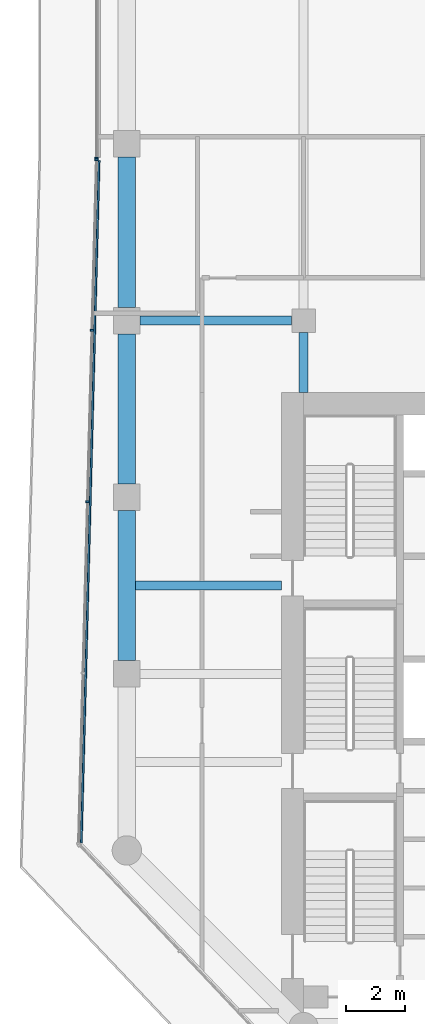
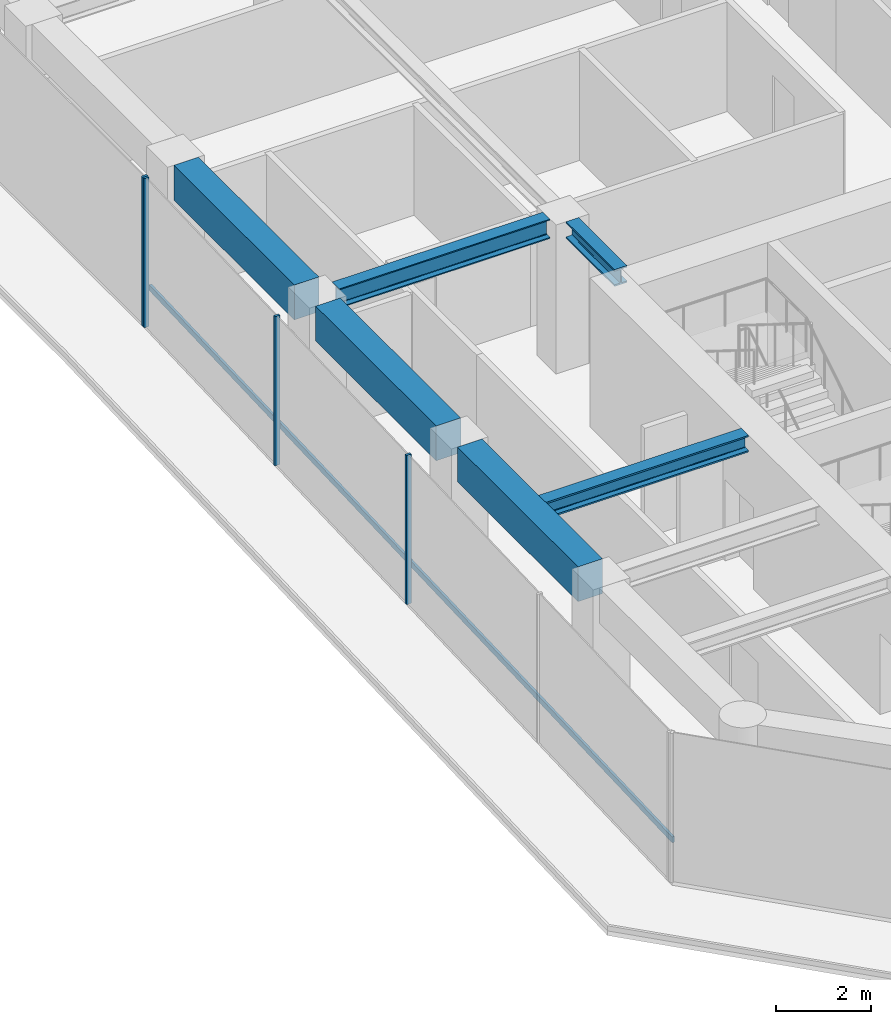
# One storey, part 4 of 23: 6 beams, 5 members, 2 elements without a shape of their own.
"""IFC4 building model written with IfcOpenShell, lengths in metres."""

import ifcopenshell
import ifcopenshell.guid

model = None  # the IFC model being written
_history = None  # IfcOwnerHistory: only IFC2X3 demands one
_inside = {}  # id of a spatial element -> (the spatial element, [elements in it])
_under = {}  # id of a project, library or spatial element -> (it, [spatial elements below it])
_declared = {}  # id of a project -> (the project, [libraries it declares])
_typed = {}  # id of a type object -> (the type object, [elements of that type])
_made_of = {}  # id of a material, layer set ... -> (it, [elements and type objects made of it])


def new_model(schema):
    """Start an empty IFC model of exactly this schema.

    Asked for "IFC4X3", IfcOpenShell would pick the latest addendum, in which some entities
    have other attributes; the version numbers below select the first issue.
    IFC2X3 requires an IfcOwnerHistory on every rooted entity: one is made here for all.
    """
    global model, _history
    if schema == "IFC4X3":
        model = ifcopenshell.file(schema_version=(4, 3, 0, 0))
    else:
        model = ifcopenshell.file(schema=schema)
    _inside.clear()
    _under.clear()
    _declared.clear()
    _typed.clear()
    _made_of.clear()
    _history = None
    if model.schema == "IFC2X3":
        org = make("IfcOrganization", Name="unknown")
        user = make(
            "IfcPersonAndOrganization",
            ThePerson=make("IfcPerson", FamilyName="unknown"),
            TheOrganization=org,
        )
        app = make(
            "IfcApplication",
            ApplicationDeveloper=org,
            Version="unknown",
            ApplicationFullName="unknown",
            ApplicationIdentifier="unknown",
        )
        _history = make(
            "IfcOwnerHistory",
            OwningUser=user,
            OwningApplication=app,
            ChangeAction="ADDED",
            CreationDate=0,
        )
    return model


def make(cls, **values):
    """One entity of the class cls with the attributes given. An attribute that is None is left unset."""
    return model.create_entity(
        cls, **{name: value for name, value in values.items() if value is not None}
    )


def rooted(cls, **values):
    """An entity with a GlobalId (a new one), such as an element, a storey or a relation."""
    return make(cls, GlobalId=ifcopenshell.guid.new(), OwnerHistory=_history, **values)


def si_unit(unit_type, name, prefix=None):
    """IfcSIUnit, for example si_unit("LENGTHUNIT", "METRE", prefix="MILLI")."""
    return make("IfcSIUnit", UnitType=unit_type, Prefix=prefix, Name=name)


def assignment(units):
    """IfcUnitAssignment: the units of a project."""
    return None if units is None else make("IfcUnitAssignment", Units=units)


def point(xyz):
    """IfcCartesianPoint."""
    return None if xyz is None else make("IfcCartesianPoint", Coordinates=xyz)


def direction(xyz):
    """IfcDirection."""
    return None if xyz is None else make("IfcDirection", DirectionRatios=xyz)


def frame(location, z_axis=None, x_axis=None):
    """IfcAxis2Placement3D, a coordinate frame: its origin and axes. An axis left out is left unset."""
    return make(
        "IfcAxis2Placement3D",
        Location=point(location),
        Axis=direction(z_axis),
        RefDirection=direction(x_axis),
    )


def frame_2d(location, x_axis=None):
    """IfcAxis2Placement2D, a coordinate frame in the plane: its origin and x axis."""
    return make(
        "IfcAxis2Placement2D", Location=point(location), RefDirection=direction(x_axis)
    )


def origin():
    """The frame at (0, 0, 0) with its axes left unset."""
    return frame((0.0, 0.0, 0.0))


def origin_2d():
    """The frame at (0, 0) in the plane with its x axis left unset."""
    return frame_2d((0.0, 0.0))


def place(relative_to, where):
    """IfcLocalPlacement: puts the frame where relative to a parent placement (None: the world)."""
    return make(
        "IfcLocalPlacement", PlacementRelTo=relative_to, RelativePlacement=where
    )


def context(
    kind, dimensions, precision=None, world=None, true_north=None, identifier=None
):
    """IfcGeometricRepresentationContext, for example the 3D "Model" context."""
    return make(
        "IfcGeometricRepresentationContext",
        ContextIdentifier=identifier,
        ContextType=kind,
        CoordinateSpaceDimension=dimensions,
        Precision=precision,
        WorldCoordinateSystem=world,
        TrueNorth=true_north,
    )


def subcontext(parent, identifier, kind, view, scale=None):
    """IfcGeometricRepresentationSubContext, for example "Body" below "Model"."""
    return make(
        "IfcGeometricRepresentationSubContext",
        ContextIdentifier=identifier,
        ContextType=kind,
        ParentContext=parent,
        TargetScale=scale,
        TargetView=view,
    )


def project(units=None, contexts=None):
    """IfcProject with its units and contexts."""
    return rooted(
        "IfcProject",
        Name="project",
        RepresentationContexts=contexts,
        UnitsInContext=assignment(units),
    )


def spatial(cls, under=None, at=None, **own):
    """A site, building, storey or space (cls), placed at a placement, below another one or the project."""
    s = rooted(cls, ObjectPlacement=at, **own)
    if under is not None:
        _under.setdefault(under.id(), (under, []))[1].append(s)
    return s


def profile(cls, at=None, kind="AREA", **sizes):
    """A parametric profile (cls). Its sizes go by their IFC names, for example OverallWidth=200.0."""
    return make(cls, ProfileType=kind, Position=at, **sizes)


def rectangle(**sizes):
    """IfcRectangleProfileDef."""
    return profile("IfcRectangleProfileDef", **sizes)


def i_section(**sizes):
    """IfcIShapeProfileDef."""
    return profile("IfcIShapeProfileDef", **sizes)


def extrude(swept, where, along, depth):
    """IfcExtrudedAreaSolid: the profile swept, set in the frame where, extruded along a direction by depth."""
    return make(
        "IfcExtrudedAreaSolid",
        SweptArea=swept,
        Position=where,
        ExtrudedDirection=direction(along),
        Depth=depth,
    )


def shape(context_of_items, identifier, shape_type, items):
    """IfcShapeRepresentation: the items that make up one representation, for example the "Body"."""
    return make(
        "IfcShapeRepresentation",
        ContextOfItems=context_of_items,
        RepresentationIdentifier=identifier,
        RepresentationType=shape_type,
        Items=items,
    )


def material(Name=None, Category=None):
    """IfcMaterial."""
    return make("IfcMaterial", Name=Name, Category=Category)


def layer(
    of_material, thickness, ventilated=None, Name=None, Category=None, Priority=None
):
    """IfcMaterialLayer: one layer of a wall or slab, of a material (None: an air gap)."""
    return make(
        "IfcMaterialLayer",
        Material=of_material,
        LayerThickness=thickness,
        IsVentilated=ventilated,
        Name=Name,
        Category=Category,
        Priority=Priority,
    )


def layer_set(layers, Name=None):
    """IfcMaterialLayerSet."""
    return make("IfcMaterialLayerSet", MaterialLayers=layers, LayerSetName=Name)


def material_profile(
    of_material, cross_section, Name=None, Category=None, Priority=None
):
    """IfcMaterialProfile: a cross section and its material."""
    return make(
        "IfcMaterialProfile",
        Name=Name,
        Material=of_material,
        Profile=cross_section,
        Priority=Priority,
        Category=Category,
    )


def profile_set(profiles, Name=None, composite=None):
    """IfcMaterialProfileSet."""
    return make(
        "IfcMaterialProfileSet",
        Name=Name,
        MaterialProfiles=profiles,
        CompositeProfile=composite,
    )


def made_of(thing, what):
    """Note that an element or type object is made of a material, layer set ...; save() writes the relation."""
    if what is not None:
        _made_of.setdefault(what.id(), (what, []))[1].append(thing)
    return thing


def type_object(cls, material=None, **own):
    """A type object (cls), such as IfcWallType, which elements share."""
    return made_of(rooted(cls, **own), material)


def element(
    cls,
    number,
    at=None,
    inside=None,
    cuts=None,
    type_object=None,
    material=None,
    context=None,
    identifier="Body",
    shape_type=None,
    held_by="IfcProductDefinitionShape",
    body=None,
    shapes=None,
    **own,
):
    """One element of the class cls, such as IfcWall. Its Tag is "e" and its number.

    at: its placement. inside: the storey or other place that contains it. cuts: it is an
    opening in that element (IfcRelVoidsElement). A single representation is given by context,
    identifier, shape_type and body (its items); several are given by shapes. held_by: the class
    of the entity that holds the representations. save() writes the other relations.
    """
    e = rooted(cls, Tag="e%d" % number, ObjectPlacement=at, **own)
    if body is not None:
        shapes = [shape(context, identifier, shape_type, body)]
    if shapes is not None:
        e.Representation = make(held_by, Representations=shapes)
    if inside is not None:
        _inside.setdefault(inside.id(), (inside, []))[1].append(e)
    if cuts is not None:
        rooted(
            "IfcRelVoidsElement", RelatingBuildingElement=cuts, RelatedOpeningElement=e
        )
    if type_object is not None:
        _typed.setdefault(type_object.id(), (type_object, []))[1].append(e)
    return made_of(e, material)


def aggregate(whole, parts):
    """IfcRelAggregates: a whole, such as a stair, and the parts it consists of."""
    return rooted("IfcRelAggregates", RelatingObject=whole, RelatedObjects=parts)


def save(model, path):
    """Write the relations noted so far, then the file.

    IfcRelAggregates (storeys below a building ...), IfcRelContainedInSpatialStructure (elements
    in a storey), IfcRelDefinesByType, IfcRelAssociatesMaterial and IfcRelDeclares: one each for
    every whole, place, type object, material and project.
    """
    for whole, parts in _under.values():
        aggregate(whole, parts)
    for where, things in _inside.values():
        rooted(
            "IfcRelContainedInSpatialStructure",
            RelatedElements=things,
            RelatingStructure=where,
        )
    for kind, things in _typed.values():
        rooted("IfcRelDefinesByType", RelatedObjects=things, RelatingType=kind)
    for what, things in _made_of.values():
        rooted("IfcRelAssociatesMaterial", RelatedObjects=things, RelatingMaterial=what)
    for by, libraries in _declared.values():
        rooted("IfcRelDeclares", RelatingContext=by, RelatedDefinitions=libraries)
    model.write(path)


model = new_model("IFC4")

# Units and contexts
model_context = context("Model", 3, precision=1e-05, world=origin(), true_north=direction((0.0, 1.0)))
body_context = subcontext(model_context, "Body", "Model", "MODEL_VIEW")
ifc_project = project(units=[si_unit("LENGTHUNIT", "METRE"), si_unit("AREAUNIT", "SQUARE_METRE"), si_unit("VOLUMEUNIT", "CUBIC_METRE"), si_unit("PLANEANGLEUNIT", "RADIAN"), si_unit("MASSUNIT", "GRAM", prefix="KILO")], contexts=[model_context])

# Site, building, storey
site_placement = place(None, origin())
site = spatial("IfcSite", under=ifc_project, at=site_placement, CompositionType="ELEMENT")
building_placement = place(site_placement, origin())
building = spatial("IfcBuilding", under=site, at=building_placement, Name="Welwitschia Terrace Campus", CompositionType="ELEMENT")
storey_placement = place(building_placement, frame((0.0, 0.0, 117.199951171875)))
storey = spatial("IfcBuildingStorey", under=building, at=storey_placement, Name="L26", CompositionType="ELEMENT", Elevation=117.199951171875)

# Beams
ifc_material_1 = material(Name="Steel S355", Category="steel")
ifc_material_profile_1 = material_profile(ifc_material_1, i_section(OverallWidth=0.306884765625, OverallDepth=0.431884765625, WebThickness=0.02099609375, FlangeThickness=0.0400390625, FilletRadius=0.027099609375, at=origin_2d()))
ifc_profile_set_1 = profile_set([ifc_material_profile_1], Name="Steel S355")
beam_type_1 = type_object("IfcBeamType", Name="Interior girder HE 400 M", PredefinedType="BEAM", material=ifc_profile_set_1)
beam_1_placement = place(storey_placement, frame((-0.010009765625, 19.0, 3.634033203125), z_axis=(1.0, 0.0, 0.0), x_axis=(0.0, 1.0, 0.0)))
element("IfcBeam", 1, at=beam_1_placement, inside=storey, type_object=beam_type_1, Name="Girder GB3", PredefinedType="BEAM", context=body_context, shape_type="SweptSolid", body=[
    extrude(i_section(OverallWidth=0.306884765625, OverallDepth=0.431884765625, WebThickness=0.02099609375, FlangeThickness=0.0400390625, FilletRadius=0.027099609375, at=origin_2d()), origin(), (0.0, 0.0, 1.0), 5.259033203125),
])
beam_2_placement = place(storey_placement, frame((6.0, 25.551025390625, 3.634033203125), z_axis=(0.0, 1.0, 0.0), x_axis=(-1.0, 0.0, 0.0)))
element("IfcBeam", 2, at=beam_2_placement, inside=storey, type_object=beam_type_1, Name="Girder GB3", PredefinedType="BEAM", context=body_context, shape_type="SweptSolid", body=[
    extrude(i_section(OverallWidth=0.306884765625, OverallDepth=0.431884765625, WebThickness=0.02099609375, FlangeThickness=0.0400390625, FilletRadius=0.027099609375, at=origin_2d()), origin(), (0.0, 0.0, 1.0), 2.048583984375),
])

# Curtain wall, members
ifc_material_2 = material(Name="Bronze anodised aluminium", Category="aluminium")
ifc_layer = layer(ifc_material_2, 0.1201171875)
ifc_layer_set = layer_set([ifc_layer], Name="Bronze anodised aluminium")
curtain_wall_type = type_object("IfcCurtainWallType", Name="Curtain wall CW2 tower 6000", PredefinedType="NOTDEFINED", material=ifc_layer_set)
curtain_wall_1_placement = place(storey_placement, origin())
curtain_wall_1 = element("IfcCurtainWall", 3, at=curtain_wall_1_placement, inside=storey, type_object=curtain_wall_type, Name="CW L26.0.0", PredefinedType="NOTDEFINED")
ifc_material_3 = material(Name="Bronze anodised aluminium", Category="aluminium")
ifc_material_profile_2 = material_profile(ifc_material_3, rectangle(XDim=0.1201171875, YDim=0.06005859375, at=origin_2d()))
ifc_profile_set_2 = profile_set([ifc_material_profile_2], Name="Bronze anodised aluminium")
member_type_1 = type_object("IfcMemberType", Name="Mullion 60x120", PredefinedType="MULLION", material=ifc_profile_set_2)
member_1_placement = place(storey_placement, frame((-1.03076171875, 33.460693359375, 0.0), z_axis=(0.0, 0.0, 1.0), x_axis=(0.999657324976, -0.026176948308, 0.0)))
member_1 = element("IfcMember", 4, at=member_1_placement, type_object=member_type_1, Name="Mullion L26.0.0.0", PredefinedType="MULLION", context=body_context, shape_type="SweptSolid", body=[
    extrude(rectangle(XDim=0.1201171875, YDim=0.06005859375, at=origin_2d()), origin(), (0.0, 0.0, 1.0), 3.85009765625),
])
member_2_placement = place(storey_placement, frame((-1.182373046875, 27.66845703125, 0.0), z_axis=(0.0, 0.0, 1.0), x_axis=(0.999657324976, -0.026176948308, 0.0)))
member_2 = element("IfcMember", 5, at=member_2_placement, type_object=member_type_1, Name="Mullion L26.0.0.1", PredefinedType="MULLION", context=body_context, shape_type="SweptSolid", body=[
    extrude(rectangle(XDim=0.1201171875, YDim=0.06005859375, at=origin_2d()), origin(), (0.0, 0.0, 1.0), 3.85009765625),
])
member_3_placement = place(storey_placement, frame((-1.3349609375, 21.846435546875, 0.0), z_axis=(0.0, 0.0, 1.0), x_axis=(0.999657324976, -0.026176948308, 0.0)))
member_3 = element("IfcMember", 6, at=member_3_placement, type_object=member_type_1, Name="Mullion L26.0.0.2", PredefinedType="MULLION", context=body_context, shape_type="SweptSolid", body=[
    extrude(rectangle(XDim=0.1201171875, YDim=0.06005859375, at=origin_2d()), origin(), (0.0, 0.0, 1.0), 3.85009765625),
])

# Curtain wall, member
curtain_wall_2_placement = place(storey_placement, origin())
curtain_wall_2 = element("IfcCurtainWall", 7, at=curtain_wall_2_placement, inside=storey, type_object=curtain_wall_type, Name="CW L26.12.0", PredefinedType="NOTDEFINED")
member_4_placement = place(storey_placement, frame((-1.030029296875, 33.5205078125, 0.0), z_axis=(0.0, 0.0, 1.0), x_axis=(1.0, 0.0, 0.0)))
member_4 = element("IfcMember", 8, at=member_4_placement, type_object=member_type_1, Name="Mullion L26.12.0.6", PredefinedType="MULLION", context=body_context, shape_type="SweptSolid", body=[
    extrude(rectangle(XDim=0.1201171875, YDim=0.06005859375, at=origin_2d()), origin(), (0.0, 0.0, 1.0), 3.85009765625),
])
aggregate(curtain_wall_2, [member_4])

# Beams
ifc_material_4 = material(Name="Steel S355", Category="steel")
ifc_material_profile_3 = material_profile(ifc_material_4, i_section(OverallWidth=0.300048828125, OverallDepth=0.5, WebThickness=0.014404296875, FlangeThickness=0.028076171875, FilletRadius=0.027099609375, at=origin_2d()))
ifc_profile_set_3 = profile_set([ifc_material_profile_3], Name="Steel S355")
beam_type_2 = type_object("IfcBeamType", Name="Primary beam HE 500 B", PredefinedType="BEAM", material=ifc_profile_set_3)
beam_3_placement = place(storey_placement, frame((0.450439453125, 28.0, 3.60009765625), z_axis=(1.0, 0.0, 0.0), x_axis=(0.0, 1.0, 0.0)))
element("IfcBeam", 9, at=beam_3_placement, inside=storey, type_object=beam_type_2, Name="Primary beam PB3", PredefinedType="BEAM", context=body_context, shape_type="SweptSolid", body=[
    extrude(i_section(OverallWidth=0.300048828125, OverallDepth=0.5, WebThickness=0.014404296875, FlangeThickness=0.028076171875, FilletRadius=0.027099609375, at=origin_2d()), origin(), (0.0, 0.0, 1.0), 5.149169921875),
])
ifc_material_5 = material(Name="Concrete C60/75", Category="concrete")
ifc_material_profile_4 = material_profile(ifc_material_5, rectangle(XDim=0.60009765625, YDim=0.89990234375, at=origin_2d()))
ifc_profile_set_4 = profile_set([ifc_material_profile_4], Name="Concrete C60/75")
beam_type_3 = type_object("IfcBeamType", Name="Ring spandrel 600x900", PredefinedType="SPANDREL", material=ifc_profile_set_4)
for number, where, z_axis, x_axis, name in (
    (10, (0.0, 33.549560546875, 3.400146484375), (0.0, -1.0, 0.0), (1.0, 0.0, 0.0), "Spandrel SP2"),
    (11, (0.0, 27.549560546875, 3.400146484375), (0.0, -1.0, 0.0), (1.0, 0.0, 0.0), "Spandrel SP2"),
    (12, (0.0, 21.549560546875, 3.400146484375), (0.0, -1.0, 0.0), (1.0, 0.0, 0.0), "Spandrel SP2"),
):
    element("IfcBeam", number, at=place(storey_placement, frame(where, z_axis=z_axis, x_axis=x_axis)), inside=storey, type_object=beam_type_3, Name=name, PredefinedType="SPANDREL", context=body_context, shape_type="SweptSolid", body=[
        extrude(rectangle(XDim=0.60009765625, YDim=0.89990234375, at=origin_2d()), origin(), (0.0, 0.0, 1.0), 5.09912109375),
    ])

# Member
ifc_material_6 = material(Name="Bronze anodised aluminium", Category="aluminium")
ifc_material_profile_5 = material_profile(ifc_material_6, rectangle(XDim=0.06005859375, YDim=0.14990234375, at=origin_2d()))
ifc_profile_set_5 = profile_set([ifc_material_profile_5], Name="Bronze anodised aluminium")
member_type_2 = type_object("IfcMemberType", Name="Transom 60x150", PredefinedType="USERDEFINED", material=ifc_profile_set_5)
member_5_placement = place(storey_placement, frame((-0.941650390625, 33.42822265625, 1.0), z_axis=(-0.02617703689, -0.999657322656, 0.0), x_axis=(0.999657322656, -0.02617703689, 0.0)))
member_5 = element("IfcMember", 13, at=member_5_placement, type_object=member_type_2, Name="Transom L26.0.0", ObjectType="TRANSOM", PredefinedType="USERDEFINED", context=body_context, shape_type="SweptSolid", body=[
    extrude(rectangle(XDim=0.06005859375, YDim=0.14990234375, at=origin_2d()), origin(), (0.0, 0.0, 1.0), 23.176513671875),
])

aggregate(curtain_wall_1, [member_1, member_2, member_3, member_5])

save(model, "model.ifc")
